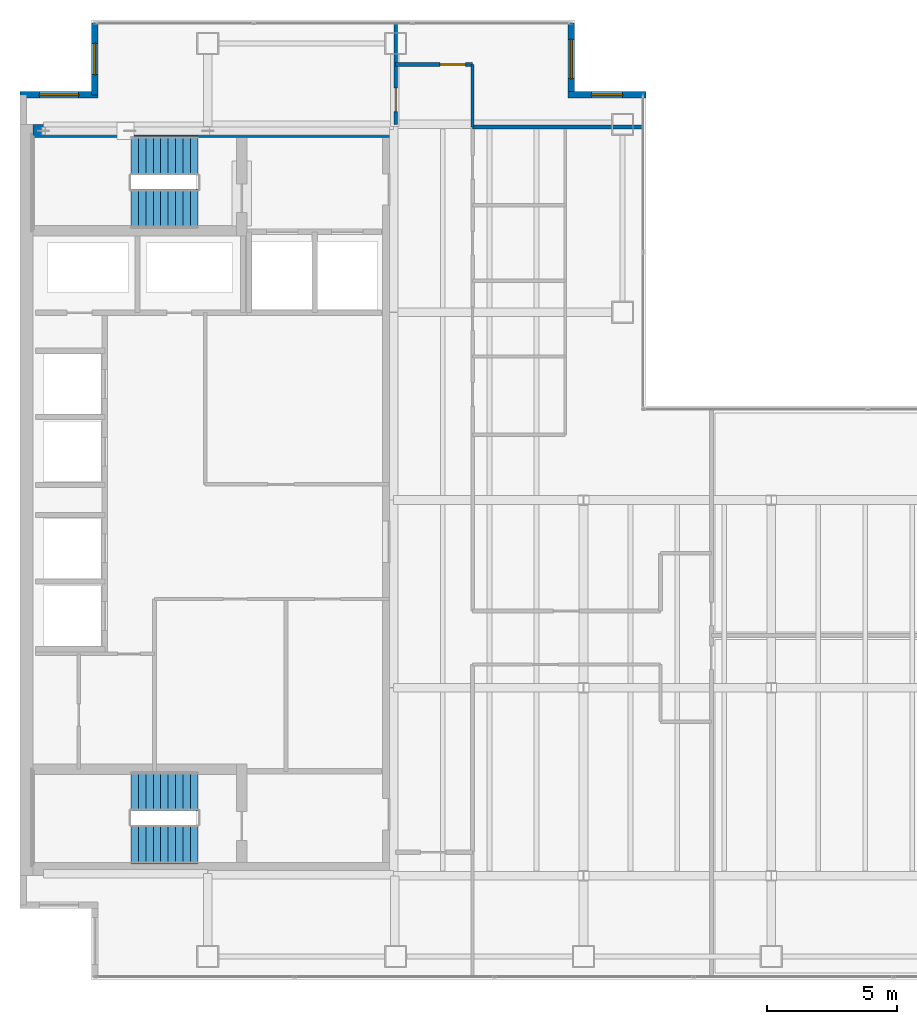
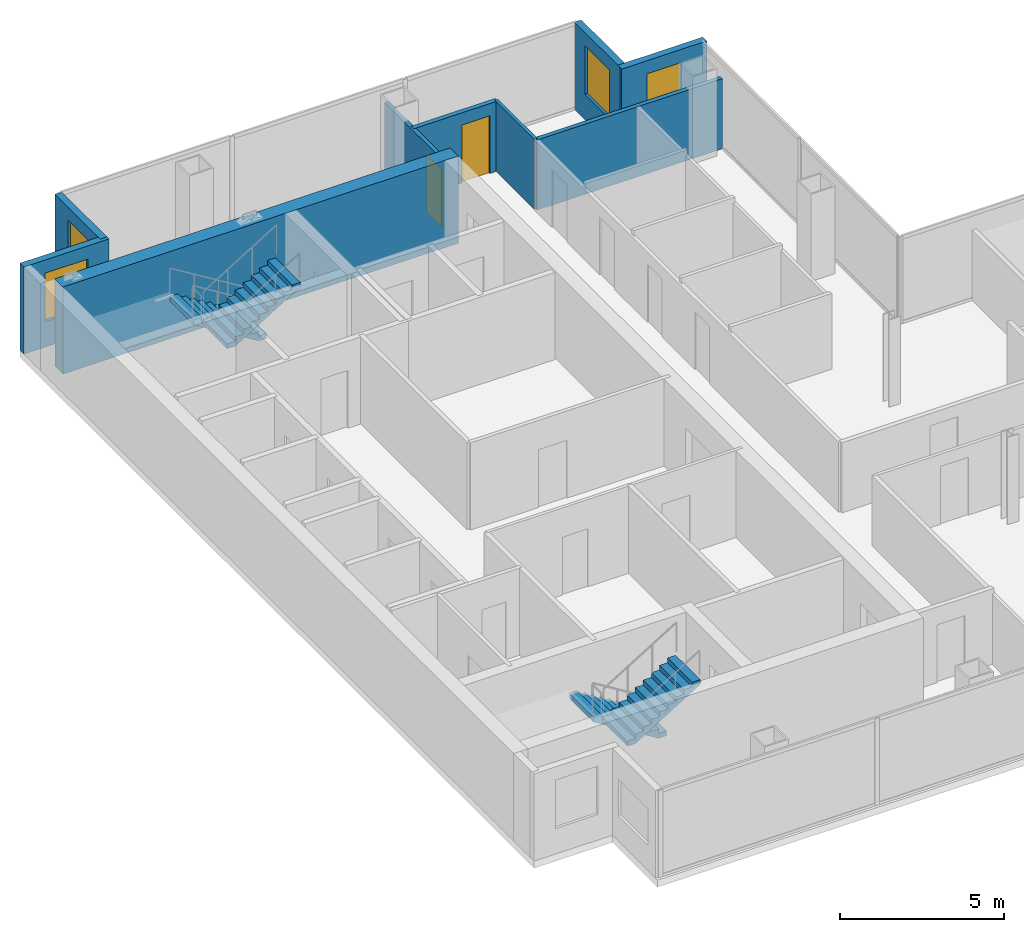
# One storey, part 22 of 23: 9 walls, 4 stair flights, 4 windows, 2 doors, 6 openings, 2 elements without a shape of their own.
"""IFC4 building model written with IfcOpenShell, lengths in metres."""

from ifc_helpers import new_model, si_unit, direction, frame, frame_2d, origin, place, context, subcontext, project, spatial, polyline, rectangle, outline, extrude, material, layer, layer_set, type_object, element, fill, aggregate, save


model = new_model("IFC4")

# Units and contexts
model_context = context("Model", 3, precision=1e-05, world=origin(), true_north=direction((0.0, 1.0)))
body_context = subcontext(model_context, "Body", "Model", "MODEL_VIEW")
ifc_project = project(units=[si_unit("LENGTHUNIT", "METRE"), si_unit("AREAUNIT", "SQUARE_METRE"), si_unit("VOLUMEUNIT", "CUBIC_METRE"), si_unit("PLANEANGLEUNIT", "RADIAN"), si_unit("MASSUNIT", "GRAM", prefix="KILO")], contexts=[model_context])

# Site, building, storey
site_placement = place(None, origin())
site = spatial("IfcSite", under=ifc_project, at=site_placement, CompositionType="ELEMENT")
building_placement = place(site_placement, origin())
building = spatial("IfcBuilding", under=site, at=building_placement, Name="Cobrela Telecom Tower", CompositionType="ELEMENT")
storey_placement = place(building_placement, frame((0.0, 0.0, 176.75)))
storey = spatial("IfcBuildingStorey", under=building, at=storey_placement, Name="L44", CompositionType="ELEMENT", Elevation=176.75)

# Wall
ifc_material_1 = material(Name="Concrete C40/50", Category="concrete")
ifc_layer_1 = layer(ifc_material_1, 0.5)
ifc_layer_set_1 = layer_set([ifc_layer_1], Name="Concrete C40/50")
wall_type_1 = type_object("IfcWallType", Name="WALL-CORE-C40-500", PredefinedType="SHEAR", material=ifc_layer_set_1)
wall_1_placement = place(storey_placement, frame((0.5, 35.75, 0.0), z_axis=(0.0, 0.0, 1.0), x_axis=(1.0, 0.0, 0.0)))
element("IfcWall", 1, at=wall_1_placement, inside=storey, type_object=wall_type_1, Name="L44 North Core Shear Wall", PredefinedType="SHEAR", context=body_context, shape_type="SweptSolid", body=[
    extrude(rectangle(XDim=13.89990234375, YDim=0.5, at=frame_2d((6.949951171875, 0.0))), origin(), (0.0, 0.0, 1.0), 3.239990234375),
])

# Wall, opening, window
ifc_layer_2 = layer(ifc_material_1, 0.239990234375)
ifc_layer_set_2 = layer_set([ifc_layer_2], Name="Concrete C40/50")
wall_type_2 = type_object("IfcWallType", Name="WALL-EXT-300", PredefinedType="STANDARD", material=ifc_layer_set_2)
wall_2_placement = place(storey_placement, frame((0.0, 37.1298828125, 0.0), z_axis=(0.0, 0.0, 1.0), x_axis=(1.0, 0.0, 0.0)))
wall_2 = element("IfcWall", 2, at=wall_2_placement, inside=storey, type_object=wall_type_2, Name="L44 Insulated Facade Wall 05", PredefinedType="STANDARD", context=body_context, shape_type="SweptSolid", body=[
    extrude(rectangle(XDim=2.989990234375, YDim=0.239990234375, at=frame_2d((1.4951171875, 0.0))), origin(), (0.0, 0.0, 1.0), 3.239990234375),
])
opening_1_placement = place(wall_2_placement, frame((0.7451171875, 0.0, 0.949951171875)))
opening_1 = element("IfcOpeningElement", 3, at=opening_1_placement, cuts=wall_2, Name="Opening WN-45", PredefinedType="OPENING", context=body_context, shape_type="SweptSolid", body=[
    extrude(rectangle(XDim=1.5, YDim=1.800048828125, at=frame_2d((0.75, 0.89990234375))), frame((0.0, 0.1318359375, 0.0), z_axis=(0.0, -1.0, 0.0), x_axis=(1.0, 0.0, 0.0)), (0.0, 0.0, 1.0), 0.263916015625),
])
ifc_material_2 = material(Name="Solar-Control Bronze Low-E Glass", Category="glass")
window_type_1 = type_object("IfcWindowType", Name="WIN-MOD-1500", PartitioningType="SINGLE_PANEL", PredefinedType="WINDOW", material=ifc_material_2)
window_1_placement = place(opening_1_placement, origin())
window_1 = element("IfcWindow", 4, at=window_1_placement, inside=storey, type_object=window_type_1, Name="L44 Corner Notch Facade Window 211", OverallHeight=1.800048828125, OverallWidth=1.5, PartitioningType="SINGLE_PANEL", PredefinedType="WINDOW", context=body_context, shape_type="SweptSolid", body=[
    extrude(rectangle(XDim=1.5, YDim=1.800048828125, at=frame_2d((0.75, 0.89990234375))), frame((0.0, 0.030029296875, 0.0), z_axis=(0.0, -1.0, 0.0), x_axis=(1.0, 0.0, 0.0)), (0.0, 0.0, 1.0), 0.06005859375),
])
fill(opening_1, window_1)

wall_3_placement = place(storey_placement, frame((2.8701171875, 37.1298828125, 0.0), z_axis=(0.0, 0.0, 1.0), x_axis=(0.0, 1.0, 0.0)))
wall_3 = element("IfcWall", 5, at=wall_3_placement, inside=storey, type_object=wall_type_2, Name="L44 Insulated Facade Wall 06", PredefinedType="STANDARD", context=body_context, shape_type="SweptSolid", body=[
    extrude(rectangle(XDim=2.75, YDim=0.239990234375, at=frame_2d((1.375, 0.0))), origin(), (0.0, 0.0, 1.0), 3.239990234375),
])
opening_2_placement = place(wall_3_placement, frame((0.77490234375, 0.0, 0.949951171875)))
opening_2 = element("IfcOpeningElement", 6, at=opening_2_placement, cuts=wall_3, Name="Opening WN-19", PredefinedType="OPENING", context=body_context, shape_type="SweptSolid", body=[
    extrude(rectangle(XDim=1.199951171875, YDim=1.800048828125, at=frame_2d((0.60009765625, 0.89990234375))), frame((0.0, 0.1318359375, 0.0), z_axis=(0.0, -1.0, 0.0), x_axis=(1.0, 0.0, 0.0)), (0.0, 0.0, 1.0), 0.263916015625),
])
window_type_2 = type_object("IfcWindowType", Name="WIN-MOD-1200", PartitioningType="SINGLE_PANEL", PredefinedType="WINDOW", material=ifc_material_2)
window_2_placement = place(opening_2_placement, origin())
window_2 = element("IfcWindow", 7, at=window_2_placement, inside=storey, type_object=window_type_2, Name="L44 Corner Notch Facade Window 212", OverallHeight=1.800048828125, OverallWidth=1.199951171875, PartitioningType="SINGLE_PANEL", PredefinedType="WINDOW", context=body_context, shape_type="SweptSolid", body=[
    extrude(rectangle(XDim=1.199951171875, YDim=1.800048828125, at=frame_2d((0.60009765625, 0.89990234375))), frame((0.0, 0.030029296875, 0.0), z_axis=(0.0, -1.0, 0.0), x_axis=(1.0, 0.0, 0.0)), (0.0, 0.0, 1.0), 0.06005859375),
])
fill(opening_2, window_2)

wall_4_placement = place(storey_placement, frame((21.1298828125, 39.8798828125, 0.0), z_axis=(0.0, 0.0, 1.0), x_axis=(0.0, -1.0, 0.0)))
wall_4 = element("IfcWall", 8, at=wall_4_placement, inside=storey, type_object=wall_type_2, Name="L44 Insulated Facade Wall 08", PredefinedType="STANDARD", context=body_context, shape_type="SweptSolid", body=[
    extrude(rectangle(XDim=2.75, YDim=0.239990234375, at=frame_2d((1.375, 0.0))), origin(), (0.0, 0.0, 1.0), 3.239990234375),
])
opening_3_placement = place(wall_4_placement, frame((0.625, 0.0, 0.949951171875)))
opening_3 = element("IfcOpeningElement", 9, at=opening_3_placement, cuts=wall_4, Name="Opening WN-45", PredefinedType="OPENING", context=body_context, shape_type="SweptSolid", body=[
    extrude(rectangle(XDim=1.5, YDim=1.800048828125, at=frame_2d((0.75, 0.89990234375))), frame((0.0, 0.1318359375, 0.0), z_axis=(0.0, -1.0, 0.0), x_axis=(1.0, 0.0, 0.0)), (0.0, 0.0, 1.0), 0.263916015625),
])
window_3_placement = place(opening_3_placement, origin())
window_3 = element("IfcWindow", 10, at=window_3_placement, inside=storey, type_object=window_type_1, Name="L44 Corner Notch Facade Window 213", OverallHeight=1.800048828125, OverallWidth=1.5, PartitioningType="SINGLE_PANEL", PredefinedType="WINDOW", context=body_context, shape_type="SweptSolid", body=[
    extrude(rectangle(XDim=1.5, YDim=1.800048828125, at=frame_2d((0.75, 0.89990234375))), frame((0.0, 0.030029296875, 0.0), z_axis=(0.0, -1.0, 0.0), x_axis=(1.0, 0.0, 0.0)), (0.0, 0.0, 1.0), 0.06005859375),
])
fill(opening_3, window_3)

wall_5_placement = place(storey_placement, frame((21.010009765625, 37.1298828125, 0.0), z_axis=(0.0, 0.0, 1.0), x_axis=(1.0, 0.0, 0.0)))
wall_5 = element("IfcWall", 11, at=wall_5_placement, inside=storey, type_object=wall_type_2, Name="L44 Insulated Facade Wall 09", PredefinedType="STANDARD", context=body_context, shape_type="SweptSolid", body=[
    extrude(rectangle(XDim=2.989990234375, YDim=0.239990234375, at=frame_2d((1.4951171875, 0.0))), origin(), (0.0, 0.0, 1.0), 3.239990234375),
])
opening_4_placement = place(wall_5_placement, frame((0.89501953125, 0.0, 0.949951171875)))
opening_4 = element("IfcOpeningElement", 12, at=opening_4_placement, cuts=wall_5, Name="Opening WN-19", PredefinedType="OPENING", context=body_context, shape_type="SweptSolid", body=[
    extrude(rectangle(XDim=1.199951171875, YDim=1.800048828125, at=frame_2d((0.60009765625, 0.89990234375))), frame((0.0, 0.1318359375, 0.0), z_axis=(0.0, -1.0, 0.0), x_axis=(1.0, 0.0, 0.0)), (0.0, 0.0, 1.0), 0.263916015625),
])
window_4_placement = place(opening_4_placement, origin())
window_4 = element("IfcWindow", 13, at=window_4_placement, inside=storey, type_object=window_type_2, Name="L44 Corner Notch Facade Window 214", OverallHeight=1.800048828125, OverallWidth=1.199951171875, PartitioningType="SINGLE_PANEL", PredefinedType="WINDOW", context=body_context, shape_type="SweptSolid", body=[
    extrude(rectangle(XDim=1.199951171875, YDim=1.800048828125, at=frame_2d((0.60009765625, 0.89990234375))), frame((0.0, 0.030029296875, 0.0), z_axis=(0.0, -1.0, 0.0), x_axis=(1.0, 0.0, 0.0)), (0.0, 0.0, 1.0), 0.06005859375),
])
fill(opening_4, window_4)

# Wall
ifc_material_3 = material(Name="Fire-Rated Gypsum Plasterboard")
ifc_layer_3 = layer(ifc_material_3, 0.110107421875)
ifc_layer_set_3 = layer_set([ifc_layer_3], Name="Fire-Rated Gypsum Plasterboard")
wall_type_3 = type_object("IfcWallType", Name="WALL-PART-110", PredefinedType="PARTITIONING", material=ifc_layer_set_3)
wall_6_placement = place(storey_placement, frame((17.35009765625, 35.89990234375, 0.0), z_axis=(0.0, 0.0, 1.0), x_axis=(0.0, 1.0, 0.0)))
element("IfcWall", 14, at=wall_6_placement, inside=storey, type_object=wall_type_3, Name="L44 Interior Partition W-CN-E", PredefinedType="PARTITIONING", context=body_context, shape_type="SweptSolid", body=[
    extrude(rectangle(XDim=2.400146484375, YDim=0.110107421875, at=frame_2d((1.2001953125, 0.0))), origin(), (0.0, 0.0, 1.0), 2.60302734375),
])

# Wall, opening, door
ifc_layer_4 = layer(ifc_material_3, 0.135009765625)
ifc_layer_set_4 = layer_set([ifc_layer_4], Name="Fire-Rated Gypsum Plasterboard")
wall_type_4 = type_object("IfcWallType", Name="WALL-PART-135", PredefinedType="PARTITIONING", material=ifc_layer_set_4)
wall_7_placement = place(storey_placement, frame((14.39990234375, 36.0, 0.0), z_axis=(0.0, 0.0, 1.0), x_axis=(0.0, 1.0, 0.0)))
wall_7 = element("IfcWall", 15, at=wall_7_placement, inside=storey, type_object=wall_type_4, Name="L44 Interior Partition W-CN-W", PredefinedType="PARTITIONING", context=body_context, shape_type="SweptSolid", body=[
    extrude(rectangle(XDim=3.8798828125, YDim=0.135009765625, at=frame_2d((1.93994140625, 0.0))), origin(), (0.0, 0.0, 1.0), 2.60302734375),
])
opening_5_placement = place(wall_7_placement, frame((0.489990234375, 0.0, 0.0)))
opening_5 = element("IfcOpeningElement", 16, at=opening_5_placement, cuts=wall_7, Name="Opening DR-41", PredefinedType="OPENING", context=body_context, shape_type="SweptSolid", body=[
    extrude(rectangle(XDim=0.89990234375, YDim=2.14990234375, at=frame_2d((0.449951171875, 1.074951171875))), frame((0.0, 0.07958984375, 0.0), z_axis=(0.0, -1.0, 0.0), x_axis=(1.0, 0.0, 0.0)), (0.0, 0.0, 1.0), 0.158935546875),
])
ifc_material_4 = material(Name="Solid Engineered Oak Timber", Category="wood")
door_type_1 = type_object("IfcDoorType", Name="DOOR-INT-900", OperationType="SINGLE_SWING_LEFT", PredefinedType="DOOR", material=ifc_material_4)
door_1_placement = place(opening_5_placement, origin())
door_1 = element("IfcDoor", 17, at=door_1_placement, inside=storey, type_object=door_type_1, Name="L44 Door DR-41", OperationType="SINGLE_SWING_LEFT", OverallHeight=2.14990234375, OverallWidth=0.89990234375, PredefinedType="DOOR", context=body_context, shape_type="SweptSolid", body=[
    extrude(rectangle(XDim=0.89990234375, YDim=2.14990234375, at=frame_2d((0.449951171875, 1.074951171875))), frame((0.0, 0.02490234375, 0.0), z_axis=(0.0, -1.0, 0.0), x_axis=(1.0, 0.0, 0.0)), (0.0, 0.0, 1.0), 0.050048828125),
])
fill(opening_5, door_1)

# Wall
ifc_layer_5 = layer(ifc_material_3, 0.14990234375)
ifc_layer_set_5 = layer_set([ifc_layer_5], Name="Fire-Rated Gypsum Plasterboard")
wall_type_5 = type_object("IfcWallType", Name="WALL-PART-150", PredefinedType="PARTITIONING", material=ifc_layer_set_5)
wall_8_placement = place(storey_placement, frame((17.35009765625, 35.89990234375, 0.0), z_axis=(0.0, 0.0, 1.0), x_axis=(1.0, 0.0, 0.0)))
element("IfcWall", 18, at=wall_8_placement, inside=storey, type_object=wall_type_5, Name="L44 Interior Partition W-NW2-S", PredefinedType="PARTITIONING", context=body_context, shape_type="SweptSolid", body=[
    extrude(rectangle(XDim=6.52978515625, YDim=0.14990234375, at=frame_2d((3.264892578125, 0.0))), origin(), (0.0, 0.0, 1.0), 2.60302734375),
])

# Wall, opening, door
ifc_layer_6 = layer(ifc_material_3, 0.159912109375)
ifc_layer_set_6 = layer_set([ifc_layer_6], Name="Fire-Rated Gypsum Plasterboard")
wall_type_6 = type_object("IfcWallType", Name="WALL-PART-160", PredefinedType="PARTITIONING", material=ifc_layer_set_6)
wall_9_placement = place(storey_placement, frame((14.39990234375, 38.300048828125, 0.0), z_axis=(0.0, 0.0, 1.0), x_axis=(1.0, 0.0, 0.0)))
wall_9 = element("IfcWall", 19, at=wall_9_placement, inside=storey, type_object=wall_type_6, Name="L44 Interior Partition W-CN-T", PredefinedType="PARTITIONING", context=body_context, shape_type="SweptSolid", body=[
    extrude(rectangle(XDim=2.9501953125, YDim=0.159912109375, at=frame_2d((1.47509765625, 0.0))), origin(), (0.0, 0.0, 1.0), 2.60302734375),
])
opening_6_placement = place(wall_9_placement, frame((1.699951171875, 0.0, 0.0)))
opening_6 = element("IfcOpeningElement", 20, at=opening_6_placement, cuts=wall_9, Name="Opening DR-17", PredefinedType="OPENING", context=body_context, shape_type="SweptSolid", body=[
    extrude(rectangle(XDim=0.97998046875, YDim=2.14990234375, at=frame_2d((0.489990234375, 1.074951171875))), frame((0.0, 0.091796875, 0.0), z_axis=(0.0, -1.0, 0.0), x_axis=(1.0, 0.0, 0.0)), (0.0, 0.0, 1.0), 0.183837890625),
])
door_type_2 = type_object("IfcDoorType", Name="DOOR-INT-980", OperationType="SINGLE_SWING_LEFT", PredefinedType="DOOR", material=ifc_material_4)
door_2_placement = place(opening_6_placement, origin())
door_2 = element("IfcDoor", 21, at=door_2_placement, inside=storey, type_object=door_type_2, Name="L44 Door DR-17", OperationType="SINGLE_SWING_RIGHT", OverallHeight=2.14990234375, OverallWidth=0.97998046875, PredefinedType="DOOR", context=body_context, shape_type="SweptSolid", body=[
    extrude(rectangle(XDim=0.97998046875, YDim=2.14990234375, at=frame_2d((0.489990234375, 1.074951171875))), frame((0.0, 0.02490234375, 0.0), z_axis=(0.0, -1.0, 0.0), x_axis=(1.0, 0.0, 0.0)), (0.0, 0.0, 1.0), 0.050048828125),
])
fill(opening_6, door_2)

# Stair, stair flights
stair_type = type_object("IfcStairType", Name="STAIR-CORE", PredefinedType="HALF_TURN_STAIR", material=ifc_material_1)
stair_1_placement = place(storey_placement, origin())
stair_1 = element("IfcStair", 22, at=stair_1_placement, inside=storey, type_object=stair_type, Name="L44 Smokeproof Exit Stair ST1", PredefinedType="HALF_TURN_STAIR")
stair_flight_type = type_object("IfcStairFlightType", Name="FLIGHT-CORE", PredefinedType="STRAIGHT", material=ifc_material_1)
stair_flight_1_placement = place(storey_placement, frame((6.820068359375, 34.800048828125, 0.0), z_axis=(0.0, 0.0, 1.0), x_axis=(-1.0, 0.0, 0.0)))
stair_flight_1 = element("IfcStairFlight", 23, at=stair_flight_1_placement, type_object=stair_flight_type, Name="ST1 flight 1", NumberOfRisers=10, NumberOfTreads=9, PredefinedType="STRAIGHT", RiserHeight=0.175, TreadLength=0.285, context=body_context, shape_type="SweptSolid", body=[
    extrude(outline(polyline([(0.0, 0.0), (0.0, 0.175048828125), (0.284912109375, 0.175048828125), (0.284912109375, 0.35009765625), (0.570068359375, 0.35009765625), (0.570068359375, 0.52490234375), (0.85498046875, 0.52490234375), (0.85498046875, 0.699951171875), (1.139892578125, 0.699951171875), (1.139892578125, 0.875), (1.425048828125, 0.875), (1.425048828125, 1.050048828125), (1.7099609375, 1.050048828125), (1.7099609375, 1.22509765625), (1.9951171875, 1.22509765625), (1.9951171875, 1.39990234375), (2.280029296875, 1.39990234375), (2.280029296875, 1.574951171875), (2.56494140625, 1.574951171875), (2.56494140625, 1.75), (2.56494140625, 1.399169921875), (0.286376953125, 0.0), (0.0, 0.0)])), frame((0.0, 0.75, 0.0), z_axis=(0.0, -1.0, 0.0), x_axis=(1.0, 0.0, 0.0)), (0.0, 0.0, 1.0), 1.5),
])
stair_flight_2_placement = place(storey_placement, frame((4.2548828125, 32.75, 1.75), z_axis=(0.0, 0.0, 1.0), x_axis=(1.0, 0.0, 0.0)))
stair_flight_2 = element("IfcStairFlight", 24, at=stair_flight_2_placement, type_object=stair_flight_type, Name="ST1 flight 2", NumberOfRisers=10, NumberOfTreads=9, PredefinedType="STRAIGHT", RiserHeight=0.175, TreadLength=0.285, context=body_context, shape_type="SweptSolid", body=[
    extrude(outline(polyline([(0.0, 0.0), (0.0, 0.175048828125), (0.284912109375, 0.175048828125), (0.284912109375, 0.35009765625), (0.570068359375, 0.35009765625), (0.570068359375, 0.52490234375), (0.85498046875, 0.52490234375), (0.85498046875, 0.699951171875), (1.139892578125, 0.699951171875), (1.139892578125, 0.875), (1.425048828125, 0.875), (1.425048828125, 1.050048828125), (1.7099609375, 1.050048828125), (1.7099609375, 1.22509765625), (1.9951171875, 1.22509765625), (1.9951171875, 1.39990234375), (2.280029296875, 1.39990234375), (2.280029296875, 1.574951171875), (2.56494140625, 1.574951171875), (2.56494140625, 1.75), (2.56494140625, 1.399169921875), (0.286376953125, 0.0), (0.0, 0.0)])), frame((0.0, 0.75, 0.0), z_axis=(0.0, -1.0, 0.0), x_axis=(1.0, 0.0, 0.0)), (0.0, 0.0, 1.0), 1.5),
])
aggregate(stair_1, [stair_flight_1, stair_flight_2])

stair_2_placement = place(storey_placement, origin())
stair_2 = element("IfcStair", 25, at=stair_2_placement, inside=storey, type_object=stair_type, Name="L44 Smokeproof Exit Stair ST2", PredefinedType="HALF_TURN_STAIR")
stair_flight_3_placement = place(storey_placement, frame((6.820068359375, 10.449951171875, 0.0), z_axis=(0.0, 0.0, 1.0), x_axis=(-1.0, 0.0, 0.0)))
stair_flight_3 = element("IfcStairFlight", 26, at=stair_flight_3_placement, type_object=stair_flight_type, Name="ST2 flight 1", NumberOfRisers=10, NumberOfTreads=9, PredefinedType="STRAIGHT", RiserHeight=0.175, TreadLength=0.285, context=body_context, shape_type="SweptSolid", body=[
    extrude(outline(polyline([(0.0, 0.0), (0.0, 0.175048828125), (0.284912109375, 0.175048828125), (0.284912109375, 0.35009765625), (0.570068359375, 0.35009765625), (0.570068359375, 0.52490234375), (0.85498046875, 0.52490234375), (0.85498046875, 0.699951171875), (1.139892578125, 0.699951171875), (1.139892578125, 0.875), (1.425048828125, 0.875), (1.425048828125, 1.050048828125), (1.7099609375, 1.050048828125), (1.7099609375, 1.22509765625), (1.9951171875, 1.22509765625), (1.9951171875, 1.39990234375), (2.280029296875, 1.39990234375), (2.280029296875, 1.574951171875), (2.56494140625, 1.574951171875), (2.56494140625, 1.75), (2.56494140625, 1.399169921875), (0.286376953125, 0.0), (0.0, 0.0)])), frame((0.0, 0.75, 0.0), z_axis=(0.0, -1.0, 0.0), x_axis=(1.0, 0.0, 0.0)), (0.0, 0.0, 1.0), 1.5),
])
stair_flight_4_placement = place(storey_placement, frame((4.2548828125, 8.39990234375, 1.75), z_axis=(0.0, 0.0, 1.0), x_axis=(1.0, 0.0, 0.0)))
stair_flight_4 = element("IfcStairFlight", 27, at=stair_flight_4_placement, type_object=stair_flight_type, Name="ST2 flight 2", NumberOfRisers=10, NumberOfTreads=9, PredefinedType="STRAIGHT", RiserHeight=0.175, TreadLength=0.285, context=body_context, shape_type="SweptSolid", body=[
    extrude(outline(polyline([(0.0, 0.0), (0.0, 0.175048828125), (0.284912109375, 0.175048828125), (0.284912109375, 0.35009765625), (0.570068359375, 0.35009765625), (0.570068359375, 0.52490234375), (0.85498046875, 0.52490234375), (0.85498046875, 0.699951171875), (1.139892578125, 0.699951171875), (1.139892578125, 0.875), (1.425048828125, 0.875), (1.425048828125, 1.050048828125), (1.7099609375, 1.050048828125), (1.7099609375, 1.22509765625), (1.9951171875, 1.22509765625), (1.9951171875, 1.39990234375), (2.280029296875, 1.39990234375), (2.280029296875, 1.574951171875), (2.56494140625, 1.574951171875), (2.56494140625, 1.75), (2.56494140625, 1.399169921875), (0.286376953125, 0.0), (0.0, 0.0)])), frame((0.0, 0.75, 0.0), z_axis=(0.0, -1.0, 0.0), x_axis=(1.0, 0.0, 0.0)), (0.0, 0.0, 1.0), 1.5),
])
aggregate(stair_2, [stair_flight_3, stair_flight_4])

save(model, "model.ifc")
